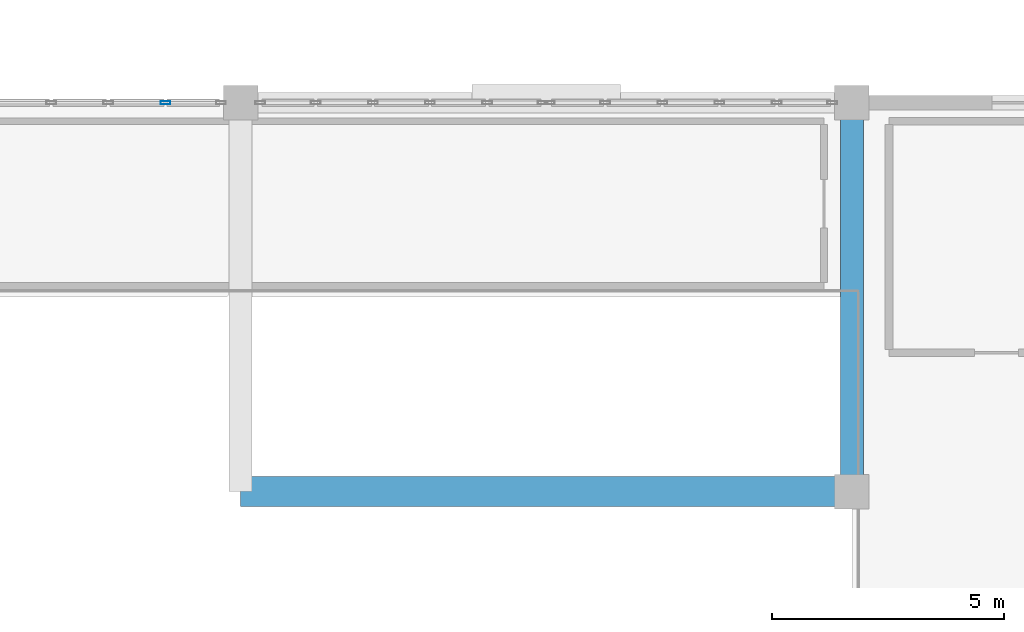
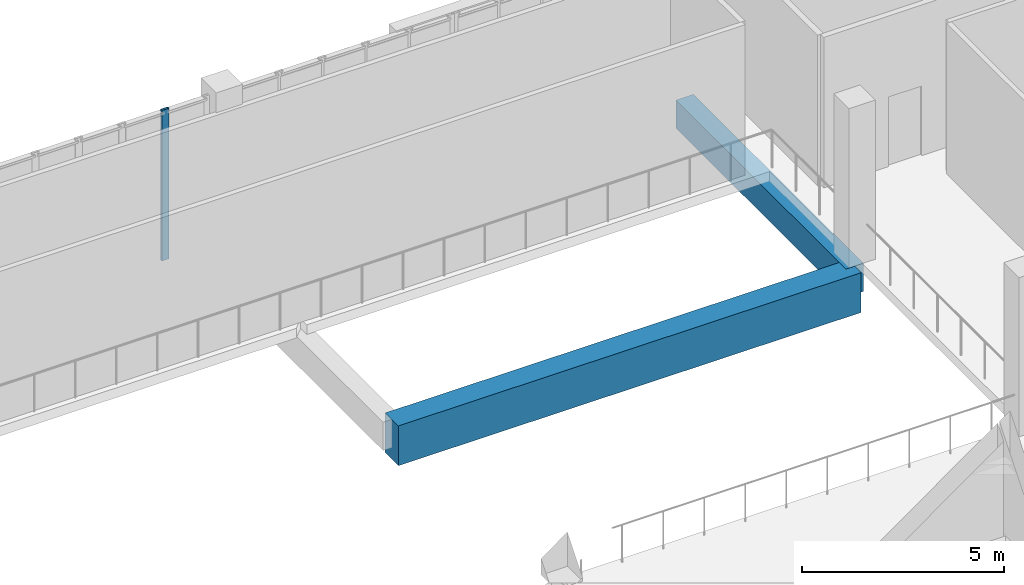
# One storey, part 48 of 106: 2 beams, 1 member, 1 element without a shape of its own.
"""IFC4 building model written with IfcOpenShell, lengths in metres."""

from ifc_helpers import new_model, si_unit, direction, frame, origin, origin_2d, place, context, subcontext, project, spatial, rectangle, hollow_rectangle, extrude, material, layer, layer_set, material_profile, profile_set, type_object, element, aggregate, save


model = new_model("IFC4")

# Units and contexts
model_context = context("Model", 3, precision=1e-05, world=origin(), true_north=direction((0.0, 1.0)))
body_context = subcontext(model_context, "Body", "Model", "MODEL_VIEW")
ifc_project = project(units=[si_unit("LENGTHUNIT", "METRE"), si_unit("AREAUNIT", "SQUARE_METRE"), si_unit("VOLUMEUNIT", "CUBIC_METRE"), si_unit("PLANEANGLEUNIT", "RADIAN"), si_unit("MASSUNIT", "GRAM", prefix="KILO")], contexts=[model_context])

# Site, building, storey
site_placement = place(None, origin())
site = spatial("IfcSite", under=ifc_project, at=site_placement, CompositionType="ELEMENT")
building_placement = place(site_placement, origin())
building = spatial("IfcBuilding", under=site, at=building_placement, Name="Kisaragi Civic Commons", CompositionType="ELEMENT")
storey_placement = place(building_placement, frame((0.0, 0.0, 4.800048828125)))
storey = spatial("IfcBuildingStorey", under=building, at=storey_placement, Name="L01", CompositionType="ELEMENT", Elevation=4.800048828125)

# Curtain wall, member
ifc_material_1 = material(Name="Thermally broken anodized aluminium and low-E double glazing", Category="aluminium")
ifc_layer = layer(ifc_material_1, 0.2099609375, Name="Thermally broken anodized aluminium and low-E double glazing", Category="aluminium")
ifc_layer_set = layer_set([ifc_layer], Name="Thermally broken anodized aluminium and low-E double glazing")
curtain_wall_type = type_object("IfcCurtainWallType", Name="CW-02", PredefinedType="NOTDEFINED", material=ifc_layer_set)
curtain_wall_placement = place(storey_placement, origin())
curtain_wall = element("IfcCurtainWall", 1, at=curtain_wall_placement, inside=storey, type_object=curtain_wall_type, Name="L01 curtain wall CW-02 CW-V3-L01-020", PredefinedType="NOTDEFINED")
ifc_material_profile_1 = material_profile(ifc_material_1, hollow_rectangle(XDim=0.070068359375, YDim=0.2099609375, WallThickness=0.0048828125, InnerFilletRadius=0.0048828125, OuterFilletRadius=0.010009765625, at=origin_2d()), Name="CWM-70x210x5", Category="aluminium")
ifc_profile_set_1 = profile_set([ifc_material_profile_1], Name="Thermally broken anodized aluminium and low-E double glazing")
member_type = type_object("IfcMemberType", Name="CWM-03", PredefinedType="MULLION", material=ifc_profile_set_1)
member_placement = place(storey_placement, frame((144.77587890625, 25.199951171875, 0.0), z_axis=(0.0, 0.0, 1.0), x_axis=(0.0, 1.0, 0.0)))
member = element("IfcMember", 2, at=member_placement, type_object=member_type, Name="CW-02 mullion 5", PredefinedType="MULLION", context=body_context, shape_type="SweptSolid", body=[
    extrude(hollow_rectangle(XDim=0.070068359375, YDim=0.2099609375, WallThickness=0.0048828125, InnerFilletRadius=0.0048828125, OuterFilletRadius=0.010009765625, at=origin_2d()), origin(), (0.0, 0.0, 1.0), 4.5400390625),
])
aggregate(curtain_wall, [member])

# Beams
ifc_material_2 = material(Name="Concrete Fc30", Category="concrete")
ifc_material_profile_2 = material_profile(ifc_material_2, rectangle(XDim=0.5, YDim=0.85009765625, at=origin_2d()), Name="RC-500x850", Category="concrete")
ifc_profile_set_2 = profile_set([ifc_material_profile_2], Name="Concrete Fc30")
beam_type_1 = type_object("IfcBeamType", Name="G-02", PredefinedType="BEAM", material=ifc_profile_set_2)
beam_1_placement = place(storey_placement, frame((159.60009765625, 16.800048828125, -0.72998046875), z_axis=(0.0, 1.0, 0.0), x_axis=(-1.0, 0.0, 0.0)))
element("IfcBeam", 3, at=beam_1_placement, inside=storey, type_object=beam_type_1, Name="L01 girder G-02 218", PredefinedType="BEAM", context=body_context, shape_type="SweptSolid", body=[
    extrude(rectangle(XDim=0.5, YDim=0.85009765625, at=origin_2d()), origin(), (0.0, 0.0, 1.0), 8.39990234375),
])
ifc_material_3 = material(Name="Concrete Fc36", Category="concrete")
ifc_material_profile_3 = material_profile(ifc_material_3, rectangle(XDim=0.64990234375, YDim=1.199951171875, at=origin_2d()), Name="RC-650x1200", Category="concrete")
ifc_profile_set_3 = profile_set([ifc_material_profile_3], Name="Concrete Fc36")
beam_type_2 = type_object("IfcBeamType", Name="G-07", PredefinedType="BEAM", material=ifc_profile_set_3)
beam_2_placement = place(storey_placement, frame((146.39990234375, 16.800048828125, -0.905029296875), z_axis=(1.0, 0.0, 0.0), x_axis=(0.0, 1.0, 0.0)))
element("IfcBeam", 4, at=beam_2_placement, inside=storey, type_object=beam_type_2, Name="L01 girder G-07 212", PredefinedType="BEAM", context=body_context, shape_type="SweptSolid", body=[
    extrude(rectangle(XDim=0.64990234375, YDim=1.199951171875, at=origin_2d()), origin(), (0.0, 0.0, 1.0), 13.2001953125),
])

save(model, "model.ifc")
